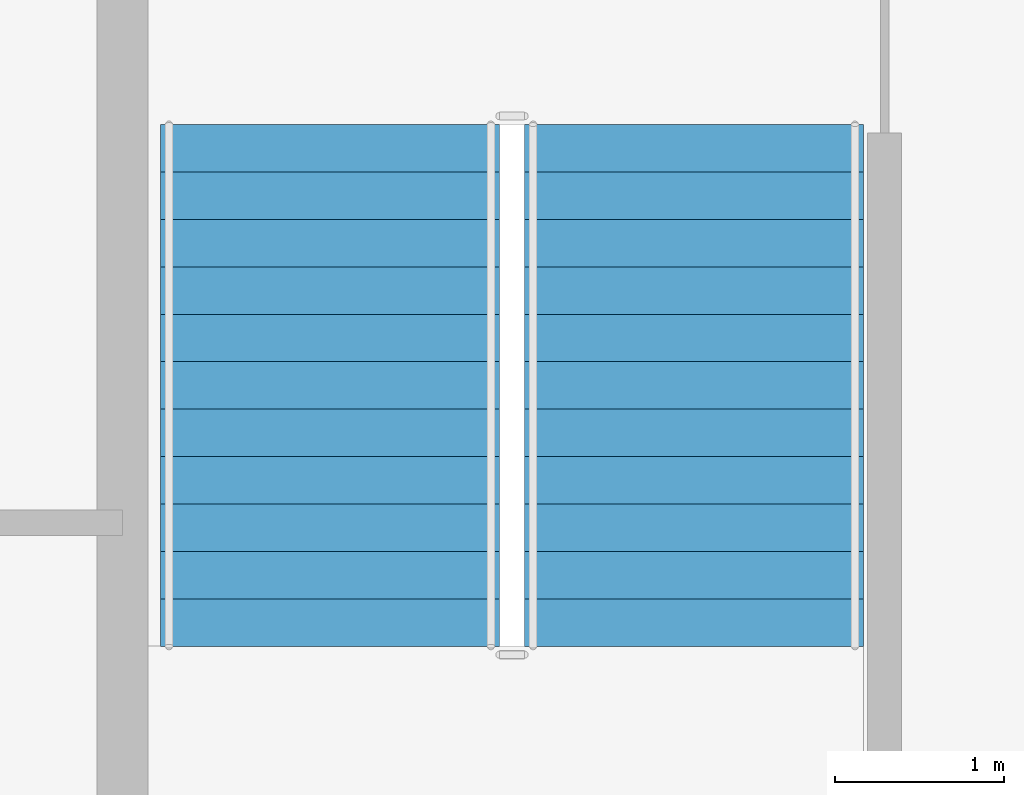
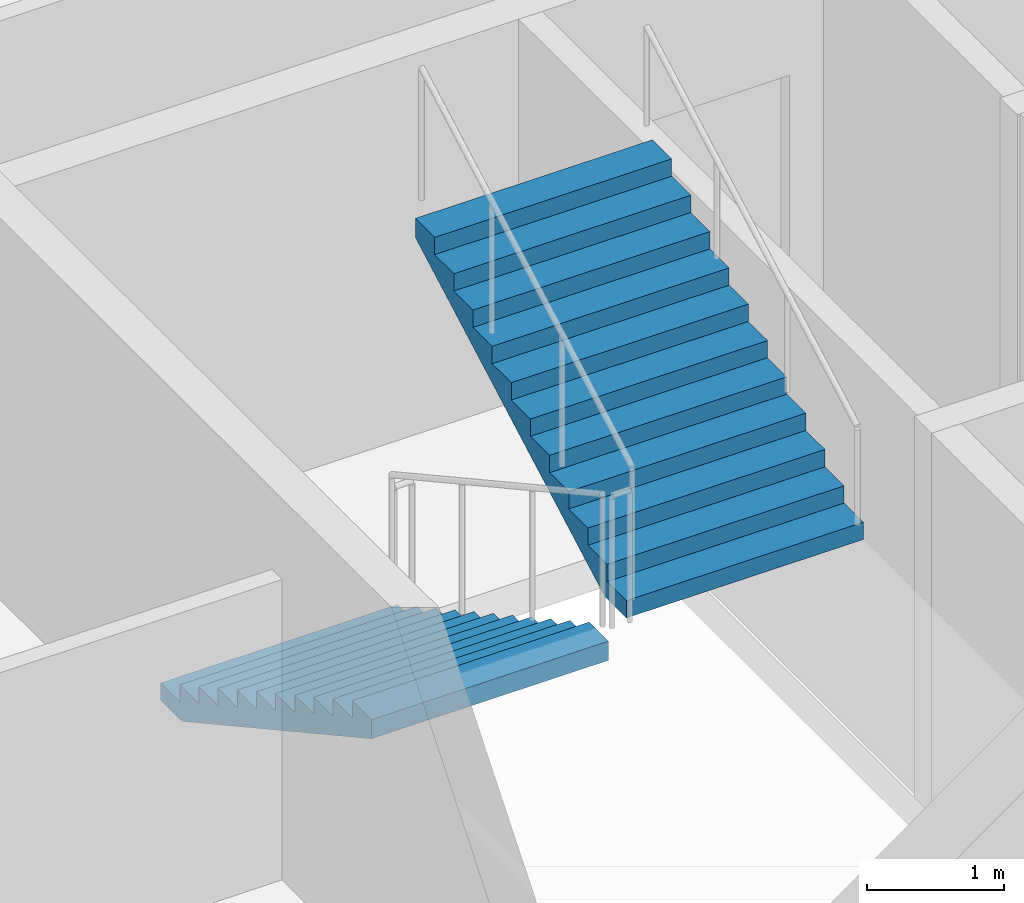
# One storey, part 9 of 12: 2 stair flights, 1 element without a shape of its own.
"""IFC4 building model written with IfcOpenShell, lengths in metres."""

from ifc_helpers import new_model, si_unit, direction, frame, origin, place, context, subcontext, project, spatial, polygons, material, type_object, element, aggregate, save


model = new_model("IFC4")

# Units and contexts
model_context = context("Model", 3, precision=1e-05, world=origin(), true_north=direction((0.0, 1.0)))
body_context = subcontext(model_context, "Body", "Model", "MODEL_VIEW")
ifc_project = project(units=[si_unit("LENGTHUNIT", "METRE"), si_unit("AREAUNIT", "SQUARE_METRE"), si_unit("VOLUMEUNIT", "CUBIC_METRE"), si_unit("PLANEANGLEUNIT", "RADIAN"), si_unit("MASSUNIT", "GRAM", prefix="KILO")], contexts=[model_context])

# Site, building, storey
site_placement = place(None, origin())
site = spatial("IfcSite", under=ifc_project, at=site_placement, CompositionType="ELEMENT")
building_placement = place(site_placement, origin())
building = spatial("IfcBuilding", under=site, at=building_placement, Name="Caravel Reach Hotel and Residences", CompositionType="ELEMENT")
storey_placement = place(building_placement, frame((0.0, 0.0, 196.10009765625)))
storey = spatial("IfcBuildingStorey", under=building, at=storey_placement, Name="L49", CompositionType="ELEMENT", Elevation=196.10009765625)

# Stair, stair flights
ifc_material_1 = material(Name="Concrete C40", Category="concrete")
stair_type = type_object("IfcStairType", Name="Core stair", PredefinedType="HALF_TURN_STAIR", material=ifc_material_1)
stair_placement = place(storey_placement, origin())
stair = element("IfcStair", 1, at=stair_placement, inside=storey, type_object=stair_type, Name="L49 Exit stair A", PredefinedType="HALF_TURN_STAIR")
ifc_material_2 = material(Name="Concrete C40", Category="concrete")
stair_flight_type = type_object("IfcStairFlightType", Name="Core stair flight", PredefinedType="STRAIGHT", material=ifc_material_2)
stair_flight_1_placement = place(storey_placement, frame((19.22509765625, 29.35009765625, 0.0), z_axis=(0.0, 0.0, 1.0), x_axis=(0.0, -1.0, 0.0)))
stair_flight_1 = element("IfcStairFlight", 2, at=stair_flight_1_placement, type_object=stair_flight_type, Name="ST-A flight 1", NumberOfRisers=12, NumberOfTreads=11, PredefinedType="STRAIGHT", RiserHeight=0.154166667, TreadLength=0.28, context=body_context, shape_type="Tessellation", body=[
    polygons([(0.3107950034306102, 1.0, 0.0), (0.3107950034306102, 0.6666666666666667, 0.0), (0.3107950034306102, 0.33333333333333337, 0.0), (0.3107950034306102, 0.0, 0.0), (0.3107950034306102, -0.33333333333333326, 0.0), (0.3107950034306102, -0.6666666666666667, 0.0), (0.3107950034306102, -1.0, 0.0), (3.081, 1.0, 1.524711087717319), (3.081, 0.6666666666666667, 1.524711087717319), (3.081, 0.33333333333333337, 1.524711087717319), (3.081, 0.0, 1.524711087717319), (3.081, -0.33333333333333326, 1.524711087717319), (3.081, -0.6666666666666667, 1.524711087717319), (3.081, -1.0, 1.524711087717319), (3.081, 1.0, 1.695833337), (3.081, 0.6666666666666667, 1.695833337), (3.081, 0.33333333333333337, 1.695833337), (3.081, 0.0, 1.695833337), (3.081, -0.33333333333333326, 1.695833337), (3.081, -0.6666666666666667, 1.695833337), (3.081, -1.0, 1.695833337), (2.8000000000000003, 1.0, 1.695833337), (2.8000000000000003, 0.6666666666666667, 1.695833337), (2.8000000000000003, 0.33333333333333337, 1.695833337), (2.8000000000000003, 0.0, 1.695833337), (2.8000000000000003, -0.33333333333333326, 1.695833337), (2.8000000000000003, -0.6666666666666667, 1.695833337), (2.8000000000000003, -1.0, 1.695833337), (2.8000000000000003, 1.0, 1.5416666700000001), (2.8000000000000003, 0.6666666666666667, 1.5416666700000001), (2.8000000000000003, 0.33333333333333337, 1.5416666700000001), (2.8000000000000003, 0.0, 1.5416666700000001), (2.8000000000000003, -0.33333333333333326, 1.5416666700000001), (2.8000000000000003, -0.6666666666666667, 1.5416666700000001), (2.8000000000000003, -1.0, 1.5416666700000001), (2.5200000000000005, 1.0, 1.5416666700000001), (2.5200000000000005, 0.6666666666666667, 1.5416666700000001), (2.5200000000000005, 0.33333333333333337, 1.5416666700000001), (2.5200000000000005, 0.0, 1.5416666700000001), (2.5200000000000005, -0.33333333333333326, 1.5416666700000001), (2.5200000000000005, -0.6666666666666667, 1.5416666700000001), (2.5200000000000005, -1.0, 1.5416666700000001), (2.5200000000000005, 1.0, 1.387500003), (2.5200000000000005, 0.6666666666666667, 1.387500003), (2.5200000000000005, 0.33333333333333337, 1.387500003), (2.5200000000000005, 0.0, 1.387500003), (2.5200000000000005, -0.33333333333333326, 1.387500003), (2.5200000000000005, -0.6666666666666667, 1.387500003), (2.5200000000000005, -1.0, 1.387500003), (2.24, 1.0, 1.387500003), (2.24, 0.6666666666666667, 1.387500003), (2.24, 0.33333333333333337, 1.387500003), (2.24, 0.0, 1.387500003), (2.24, -0.33333333333333326, 1.387500003), (2.24, -0.6666666666666667, 1.387500003), (2.24, -1.0, 1.387500003), (2.24, 1.0, 1.233333336), (2.24, 0.6666666666666667, 1.233333336), (2.24, 0.33333333333333337, 1.233333336), (2.24, 0.0, 1.233333336), (2.24, -0.33333333333333326, 1.233333336), (2.24, -0.6666666666666667, 1.233333336), (2.24, -1.0, 1.233333336), (1.9600000000000002, 1.0, 1.233333336), (1.9600000000000002, 0.6666666666666667, 1.233333336), (1.9600000000000002, 0.33333333333333337, 1.233333336), (1.9600000000000002, 0.0, 1.233333336), (1.9600000000000002, -0.33333333333333326, 1.233333336), (1.9600000000000002, -0.6666666666666667, 1.233333336), (1.9600000000000002, -1.0, 1.233333336), (1.9600000000000002, 1.0, 1.0791666690000001), (1.9600000000000002, 0.6666666666666667, 1.0791666690000001), (1.9600000000000002, 0.33333333333333337, 1.0791666690000001), (1.9600000000000002, 0.0, 1.0791666690000001), (1.9600000000000002, -0.33333333333333326, 1.0791666690000001), (1.9600000000000002, -0.6666666666666667, 1.0791666690000001), (1.9600000000000002, -1.0, 1.0791666690000001), (1.6800000000000002, 1.0, 1.0791666690000001), (1.6800000000000002, 0.6666666666666667, 1.0791666690000001), (1.6800000000000002, 0.33333333333333337, 1.0791666690000001), (1.6800000000000002, 0.0, 1.0791666690000001), (1.6800000000000002, -0.33333333333333326, 1.0791666690000001), (1.6800000000000002, -0.6666666666666667, 1.0791666690000001), (1.6800000000000002, -1.0, 1.0791666690000001), (1.6800000000000002, 1.0, 0.925000002), (1.6800000000000002, 0.6666666666666667, 0.925000002), (1.6800000000000002, 0.33333333333333337, 0.925000002), (1.6800000000000002, 0.0, 0.925000002), (1.6800000000000002, -0.33333333333333326, 0.925000002), (1.6800000000000002, -0.6666666666666667, 0.925000002), (1.6800000000000002, -1.0, 0.925000002), (1.4000000000000001, 1.0, 0.925000002), (1.4000000000000001, 0.6666666666666667, 0.925000002), (1.4000000000000001, 0.33333333333333337, 0.925000002), (1.4000000000000001, 0.0, 0.925000002), (1.4000000000000001, -0.33333333333333326, 0.925000002), (1.4000000000000001, -0.6666666666666667, 0.925000002), (1.4000000000000001, -1.0, 0.925000002), (1.4000000000000001, 1.0, 0.7708333350000001), (1.4000000000000001, 0.6666666666666667, 0.7708333350000001), (1.4000000000000001, 0.33333333333333337, 0.7708333350000001), (1.4000000000000001, 0.0, 0.7708333350000001), (1.4000000000000001, -0.33333333333333326, 0.7708333350000001), (1.4000000000000001, -0.6666666666666667, 0.7708333350000001), (1.4000000000000001, -1.0, 0.7708333350000001), (1.12, 1.0, 0.7708333350000001), (1.12, 0.6666666666666667, 0.7708333350000001), (1.12, 0.33333333333333337, 0.7708333350000001), (1.12, 0.0, 0.7708333350000001), (1.12, -0.33333333333333326, 0.7708333350000001), (1.12, -0.6666666666666667, 0.7708333350000001), (1.12, -1.0, 0.7708333350000001), (1.12, 1.0, 0.616666668), (1.12, 0.6666666666666667, 0.616666668), (1.12, 0.33333333333333337, 0.616666668), (1.12, 0.0, 0.616666668), (1.12, -0.33333333333333326, 0.616666668), (1.12, -0.6666666666666667, 0.616666668), (1.12, -1.0, 0.616666668), (0.8400000000000001, 1.0, 0.616666668), (0.8400000000000001, 0.6666666666666667, 0.616666668), (0.8400000000000001, 0.33333333333333337, 0.616666668), (0.8400000000000001, 0.0, 0.616666668), (0.8400000000000001, -0.33333333333333326, 0.616666668), (0.8400000000000001, -0.6666666666666667, 0.616666668), (0.8400000000000001, -1.0, 0.616666668), (0.8400000000000001, 1.0, 0.462500001), (0.8400000000000001, 0.6666666666666667, 0.462500001), (0.8400000000000001, 0.33333333333333337, 0.462500001), (0.8400000000000001, 0.0, 0.462500001), (0.8400000000000001, -0.33333333333333326, 0.462500001), (0.8400000000000001, -0.6666666666666667, 0.462500001), (0.8400000000000001, -1.0, 0.462500001), (0.56, 1.0, 0.462500001), (0.56, 0.6666666666666667, 0.462500001), (0.56, 0.33333333333333337, 0.462500001), (0.56, 0.0, 0.462500001), (0.56, -0.33333333333333326, 0.462500001), (0.56, -0.6666666666666667, 0.462500001), (0.56, -1.0, 0.462500001), (0.56, 1.0, 0.308333334), (0.56, 0.6666666666666667, 0.308333334), (0.56, 0.33333333333333337, 0.308333334), (0.56, 0.0, 0.308333334), (0.56, -0.33333333333333326, 0.308333334), (0.56, -0.6666666666666667, 0.308333334), (0.56, -1.0, 0.308333334), (0.28, 1.0, 0.308333334), (0.28, 0.6666666666666667, 0.308333334), (0.28, 0.33333333333333337, 0.308333334), (0.28, 0.0, 0.308333334), (0.28, -0.33333333333333326, 0.308333334), (0.28, -0.6666666666666667, 0.308333334), (0.28, -1.0, 0.308333334), (0.28, 1.0, 0.154166667), (0.28, 0.6666666666666667, 0.154166667), (0.28, 0.33333333333333337, 0.154166667), (0.28, 0.0, 0.154166667), (0.28, -0.33333333333333326, 0.154166667), (0.28, -0.6666666666666667, 0.154166667), (0.28, -1.0, 0.154166667), (-0.001, 1.0, 0.154166667), (-0.001, 0.6666666666666667, 0.154166667), (-0.001, 0.33333333333333337, 0.154166667), (-0.001, 0.0, 0.154166667), (-0.001, -0.33333333333333326, 0.154166667), (-0.001, -0.6666666666666667, 0.154166667), (-0.001, -1.0, 0.154166667), (-0.001, 1.0, 0.0), (-0.001, 0.6666666666666667, 0.0), (-0.001, 0.33333333333333337, 0.0), (-0.001, 0.0, 0.0), (-0.001, -0.33333333333333326, 0.0), (-0.001, -0.6666666666666667, 0.0), (-0.001, -1.0, 0.0)], [[[169, 162, 155, 148, 141, 134, 127, 120, 113, 106, 99, 92, 85, 78, 71, 64, 57, 50, 43, 36, 29, 22, 15, 8, 1]], [[7, 14, 21, 28, 35, 42, 49, 56, 63, 70, 77, 84, 91, 98, 105, 112, 119, 126, 133, 140, 147, 154, 161, 168, 175]], [[1, 8, 9, 2]], [[2, 9, 10, 3]], [[3, 10, 11, 4]], [[4, 11, 12, 5]], [[5, 12, 13, 6]], [[6, 13, 14, 7]], [[8, 15, 16, 9]], [[9, 16, 17, 10]], [[10, 17, 18, 11]], [[11, 18, 19, 12]], [[12, 19, 20, 13]], [[13, 20, 21, 14]], [[15, 22, 23, 16]], [[16, 23, 24, 17]], [[17, 24, 25, 18]], [[18, 25, 26, 19]], [[19, 26, 27, 20]], [[20, 27, 28, 21]], [[22, 29, 30, 23]], [[23, 30, 31, 24]], [[24, 31, 32, 25]], [[25, 32, 33, 26]], [[26, 33, 34, 27]], [[27, 34, 35, 28]], [[29, 36, 37, 30]], [[30, 37, 38, 31]], [[31, 38, 39, 32]], [[32, 39, 40, 33]], [[33, 40, 41, 34]], [[34, 41, 42, 35]], [[36, 43, 44, 37]], [[37, 44, 45, 38]], [[38, 45, 46, 39]], [[39, 46, 47, 40]], [[40, 47, 48, 41]], [[41, 48, 49, 42]], [[43, 50, 51, 44]], [[44, 51, 52, 45]], [[45, 52, 53, 46]], [[46, 53, 54, 47]], [[47, 54, 55, 48]], [[48, 55, 56, 49]], [[50, 57, 58, 51]], [[51, 58, 59, 52]], [[52, 59, 60, 53]], [[53, 60, 61, 54]], [[54, 61, 62, 55]], [[55, 62, 63, 56]], [[57, 64, 65, 58]], [[58, 65, 66, 59]], [[59, 66, 67, 60]], [[60, 67, 68, 61]], [[61, 68, 69, 62]], [[62, 69, 70, 63]], [[64, 71, 72, 65]], [[65, 72, 73, 66]], [[66, 73, 74, 67]], [[67, 74, 75, 68]], [[68, 75, 76, 69]], [[69, 76, 77, 70]], [[71, 78, 79, 72]], [[72, 79, 80, 73]], [[73, 80, 81, 74]], [[74, 81, 82, 75]], [[75, 82, 83, 76]], [[76, 83, 84, 77]], [[78, 85, 86, 79]], [[79, 86, 87, 80]], [[80, 87, 88, 81]], [[81, 88, 89, 82]], [[82, 89, 90, 83]], [[83, 90, 91, 84]], [[85, 92, 93, 86]], [[86, 93, 94, 87]], [[87, 94, 95, 88]], [[88, 95, 96, 89]], [[89, 96, 97, 90]], [[90, 97, 98, 91]], [[92, 99, 100, 93]], [[93, 100, 101, 94]], [[94, 101, 102, 95]], [[95, 102, 103, 96]], [[96, 103, 104, 97]], [[97, 104, 105, 98]], [[99, 106, 107, 100]], [[100, 107, 108, 101]], [[101, 108, 109, 102]], [[102, 109, 110, 103]], [[103, 110, 111, 104]], [[104, 111, 112, 105]], [[106, 113, 114, 107]], [[107, 114, 115, 108]], [[108, 115, 116, 109]], [[109, 116, 117, 110]], [[110, 117, 118, 111]], [[111, 118, 119, 112]], [[113, 120, 121, 114]], [[114, 121, 122, 115]], [[115, 122, 123, 116]], [[116, 123, 124, 117]], [[117, 124, 125, 118]], [[118, 125, 126, 119]], [[120, 127, 128, 121]], [[121, 128, 129, 122]], [[122, 129, 130, 123]], [[123, 130, 131, 124]], [[124, 131, 132, 125]], [[125, 132, 133, 126]], [[127, 134, 135, 128]], [[128, 135, 136, 129]], [[129, 136, 137, 130]], [[130, 137, 138, 131]], [[131, 138, 139, 132]], [[132, 139, 140, 133]], [[134, 141, 142, 135]], [[135, 142, 143, 136]], [[136, 143, 144, 137]], [[137, 144, 145, 138]], [[138, 145, 146, 139]], [[139, 146, 147, 140]], [[141, 148, 149, 142]], [[142, 149, 150, 143]], [[143, 150, 151, 144]], [[144, 151, 152, 145]], [[145, 152, 153, 146]], [[146, 153, 154, 147]], [[148, 155, 156, 149]], [[149, 156, 157, 150]], [[150, 157, 158, 151]], [[151, 158, 159, 152]], [[152, 159, 160, 153]], [[153, 160, 161, 154]], [[155, 162, 163, 156]], [[156, 163, 164, 157]], [[157, 164, 165, 158]], [[158, 165, 166, 159]], [[159, 166, 167, 160]], [[160, 167, 168, 161]], [[162, 169, 170, 163]], [[163, 170, 171, 164]], [[164, 171, 172, 165]], [[165, 172, 173, 166]], [[166, 173, 174, 167]], [[167, 174, 175, 168]], [[169, 1, 2, 170]], [[170, 2, 3, 171]], [[171, 3, 4, 172]], [[172, 4, 5, 173]], [[173, 5, 6, 174]], [[174, 6, 7, 175]]], closed=True),
])
stair_flight_2_placement = place(storey_placement, frame((21.375, 26.27001953125, 1.849853515625), z_axis=(0.0, 0.0, 1.0), x_axis=(0.0, 1.0, 0.0)))
stair_flight_2 = element("IfcStairFlight", 3, at=stair_flight_2_placement, type_object=stair_flight_type, Name="ST-A flight 2", NumberOfRisers=12, NumberOfTreads=11, PredefinedType="STRAIGHT", RiserHeight=0.154166667, TreadLength=0.28, context=body_context, shape_type="Tessellation", body=[
    polygons([(0.3107950034306102, 1.0, 0.0), (0.3107950034306102, 0.6666666666666667, 0.0), (0.3107950034306102, 0.33333333333333337, 0.0), (0.3107950034306102, 0.0, 0.0), (0.3107950034306102, -0.33333333333333326, 0.0), (0.3107950034306102, -0.6666666666666667, 0.0), (0.3107950034306102, -1.0, 0.0), (3.081, 1.0, 1.524711087717319), (3.081, 0.6666666666666667, 1.524711087717319), (3.081, 0.33333333333333337, 1.524711087717319), (3.081, 0.0, 1.524711087717319), (3.081, -0.33333333333333326, 1.524711087717319), (3.081, -0.6666666666666667, 1.524711087717319), (3.081, -1.0, 1.524711087717319), (3.081, 1.0, 1.695833337), (3.081, 0.6666666666666667, 1.695833337), (3.081, 0.33333333333333337, 1.695833337), (3.081, 0.0, 1.695833337), (3.081, -0.33333333333333326, 1.695833337), (3.081, -0.6666666666666667, 1.695833337), (3.081, -1.0, 1.695833337), (2.8000000000000003, 1.0, 1.695833337), (2.8000000000000003, 0.6666666666666667, 1.695833337), (2.8000000000000003, 0.33333333333333337, 1.695833337), (2.8000000000000003, 0.0, 1.695833337), (2.8000000000000003, -0.33333333333333326, 1.695833337), (2.8000000000000003, -0.6666666666666667, 1.695833337), (2.8000000000000003, -1.0, 1.695833337), (2.8000000000000003, 1.0, 1.5416666700000001), (2.8000000000000003, 0.6666666666666667, 1.5416666700000001), (2.8000000000000003, 0.33333333333333337, 1.5416666700000001), (2.8000000000000003, 0.0, 1.5416666700000001), (2.8000000000000003, -0.33333333333333326, 1.5416666700000001), (2.8000000000000003, -0.6666666666666667, 1.5416666700000001), (2.8000000000000003, -1.0, 1.5416666700000001), (2.5200000000000005, 1.0, 1.5416666700000001), (2.5200000000000005, 0.6666666666666667, 1.5416666700000001), (2.5200000000000005, 0.33333333333333337, 1.5416666700000001), (2.5200000000000005, 0.0, 1.5416666700000001), (2.5200000000000005, -0.33333333333333326, 1.5416666700000001), (2.5200000000000005, -0.6666666666666667, 1.5416666700000001), (2.5200000000000005, -1.0, 1.5416666700000001), (2.5200000000000005, 1.0, 1.387500003), (2.5200000000000005, 0.6666666666666667, 1.387500003), (2.5200000000000005, 0.33333333333333337, 1.387500003), (2.5200000000000005, 0.0, 1.387500003), (2.5200000000000005, -0.33333333333333326, 1.387500003), (2.5200000000000005, -0.6666666666666667, 1.387500003), (2.5200000000000005, -1.0, 1.387500003), (2.24, 1.0, 1.387500003), (2.24, 0.6666666666666667, 1.387500003), (2.24, 0.33333333333333337, 1.387500003), (2.24, 0.0, 1.387500003), (2.24, -0.33333333333333326, 1.387500003), (2.24, -0.6666666666666667, 1.387500003), (2.24, -1.0, 1.387500003), (2.24, 1.0, 1.233333336), (2.24, 0.6666666666666667, 1.233333336), (2.24, 0.33333333333333337, 1.233333336), (2.24, 0.0, 1.233333336), (2.24, -0.33333333333333326, 1.233333336), (2.24, -0.6666666666666667, 1.233333336), (2.24, -1.0, 1.233333336), (1.9600000000000002, 1.0, 1.233333336), (1.9600000000000002, 0.6666666666666667, 1.233333336), (1.9600000000000002, 0.33333333333333337, 1.233333336), (1.9600000000000002, 0.0, 1.233333336), (1.9600000000000002, -0.33333333333333326, 1.233333336), (1.9600000000000002, -0.6666666666666667, 1.233333336), (1.9600000000000002, -1.0, 1.233333336), (1.9600000000000002, 1.0, 1.0791666690000001), (1.9600000000000002, 0.6666666666666667, 1.0791666690000001), (1.9600000000000002, 0.33333333333333337, 1.0791666690000001), (1.9600000000000002, 0.0, 1.0791666690000001), (1.9600000000000002, -0.33333333333333326, 1.0791666690000001), (1.9600000000000002, -0.6666666666666667, 1.0791666690000001), (1.9600000000000002, -1.0, 1.0791666690000001), (1.6800000000000002, 1.0, 1.0791666690000001), (1.6800000000000002, 0.6666666666666667, 1.0791666690000001), (1.6800000000000002, 0.33333333333333337, 1.0791666690000001), (1.6800000000000002, 0.0, 1.0791666690000001), (1.6800000000000002, -0.33333333333333326, 1.0791666690000001), (1.6800000000000002, -0.6666666666666667, 1.0791666690000001), (1.6800000000000002, -1.0, 1.0791666690000001), (1.6800000000000002, 1.0, 0.925000002), (1.6800000000000002, 0.6666666666666667, 0.925000002), (1.6800000000000002, 0.33333333333333337, 0.925000002), (1.6800000000000002, 0.0, 0.925000002), (1.6800000000000002, -0.33333333333333326, 0.925000002), (1.6800000000000002, -0.6666666666666667, 0.925000002), (1.6800000000000002, -1.0, 0.925000002), (1.4000000000000001, 1.0, 0.925000002), (1.4000000000000001, 0.6666666666666667, 0.925000002), (1.4000000000000001, 0.33333333333333337, 0.925000002), (1.4000000000000001, 0.0, 0.925000002), (1.4000000000000001, -0.33333333333333326, 0.925000002), (1.4000000000000001, -0.6666666666666667, 0.925000002), (1.4000000000000001, -1.0, 0.925000002), (1.4000000000000001, 1.0, 0.7708333350000001), (1.4000000000000001, 0.6666666666666667, 0.7708333350000001), (1.4000000000000001, 0.33333333333333337, 0.7708333350000001), (1.4000000000000001, 0.0, 0.7708333350000001), (1.4000000000000001, -0.33333333333333326, 0.7708333350000001), (1.4000000000000001, -0.6666666666666667, 0.7708333350000001), (1.4000000000000001, -1.0, 0.7708333350000001), (1.12, 1.0, 0.7708333350000001), (1.12, 0.6666666666666667, 0.7708333350000001), (1.12, 0.33333333333333337, 0.7708333350000001), (1.12, 0.0, 0.7708333350000001), (1.12, -0.33333333333333326, 0.7708333350000001), (1.12, -0.6666666666666667, 0.7708333350000001), (1.12, -1.0, 0.7708333350000001), (1.12, 1.0, 0.616666668), (1.12, 0.6666666666666667, 0.616666668), (1.12, 0.33333333333333337, 0.616666668), (1.12, 0.0, 0.616666668), (1.12, -0.33333333333333326, 0.616666668), (1.12, -0.6666666666666667, 0.616666668), (1.12, -1.0, 0.616666668), (0.8400000000000001, 1.0, 0.616666668), (0.8400000000000001, 0.6666666666666667, 0.616666668), (0.8400000000000001, 0.33333333333333337, 0.616666668), (0.8400000000000001, 0.0, 0.616666668), (0.8400000000000001, -0.33333333333333326, 0.616666668), (0.8400000000000001, -0.6666666666666667, 0.616666668), (0.8400000000000001, -1.0, 0.616666668), (0.8400000000000001, 1.0, 0.462500001), (0.8400000000000001, 0.6666666666666667, 0.462500001), (0.8400000000000001, 0.33333333333333337, 0.462500001), (0.8400000000000001, 0.0, 0.462500001), (0.8400000000000001, -0.33333333333333326, 0.462500001), (0.8400000000000001, -0.6666666666666667, 0.462500001), (0.8400000000000001, -1.0, 0.462500001), (0.56, 1.0, 0.462500001), (0.56, 0.6666666666666667, 0.462500001), (0.56, 0.33333333333333337, 0.462500001), (0.56, 0.0, 0.462500001), (0.56, -0.33333333333333326, 0.462500001), (0.56, -0.6666666666666667, 0.462500001), (0.56, -1.0, 0.462500001), (0.56, 1.0, 0.308333334), (0.56, 0.6666666666666667, 0.308333334), (0.56, 0.33333333333333337, 0.308333334), (0.56, 0.0, 0.308333334), (0.56, -0.33333333333333326, 0.308333334), (0.56, -0.6666666666666667, 0.308333334), (0.56, -1.0, 0.308333334), (0.28, 1.0, 0.308333334), (0.28, 0.6666666666666667, 0.308333334), (0.28, 0.33333333333333337, 0.308333334), (0.28, 0.0, 0.308333334), (0.28, -0.33333333333333326, 0.308333334), (0.28, -0.6666666666666667, 0.308333334), (0.28, -1.0, 0.308333334), (0.28, 1.0, 0.154166667), (0.28, 0.6666666666666667, 0.154166667), (0.28, 0.33333333333333337, 0.154166667), (0.28, 0.0, 0.154166667), (0.28, -0.33333333333333326, 0.154166667), (0.28, -0.6666666666666667, 0.154166667), (0.28, -1.0, 0.154166667), (-0.001, 1.0, 0.154166667), (-0.001, 0.6666666666666667, 0.154166667), (-0.001, 0.33333333333333337, 0.154166667), (-0.001, 0.0, 0.154166667), (-0.001, -0.33333333333333326, 0.154166667), (-0.001, -0.6666666666666667, 0.154166667), (-0.001, -1.0, 0.154166667), (-0.001, 1.0, 0.0), (-0.001, 0.6666666666666667, 0.0), (-0.001, 0.33333333333333337, 0.0), (-0.001, 0.0, 0.0), (-0.001, -0.33333333333333326, 0.0), (-0.001, -0.6666666666666667, 0.0), (-0.001, -1.0, 0.0)], [[[169, 162, 155, 148, 141, 134, 127, 120, 113, 106, 99, 92, 85, 78, 71, 64, 57, 50, 43, 36, 29, 22, 15, 8, 1]], [[7, 14, 21, 28, 35, 42, 49, 56, 63, 70, 77, 84, 91, 98, 105, 112, 119, 126, 133, 140, 147, 154, 161, 168, 175]], [[1, 8, 9, 2]], [[2, 9, 10, 3]], [[3, 10, 11, 4]], [[4, 11, 12, 5]], [[5, 12, 13, 6]], [[6, 13, 14, 7]], [[8, 15, 16, 9]], [[9, 16, 17, 10]], [[10, 17, 18, 11]], [[11, 18, 19, 12]], [[12, 19, 20, 13]], [[13, 20, 21, 14]], [[15, 22, 23, 16]], [[16, 23, 24, 17]], [[17, 24, 25, 18]], [[18, 25, 26, 19]], [[19, 26, 27, 20]], [[20, 27, 28, 21]], [[22, 29, 30, 23]], [[23, 30, 31, 24]], [[24, 31, 32, 25]], [[25, 32, 33, 26]], [[26, 33, 34, 27]], [[27, 34, 35, 28]], [[29, 36, 37, 30]], [[30, 37, 38, 31]], [[31, 38, 39, 32]], [[32, 39, 40, 33]], [[33, 40, 41, 34]], [[34, 41, 42, 35]], [[36, 43, 44, 37]], [[37, 44, 45, 38]], [[38, 45, 46, 39]], [[39, 46, 47, 40]], [[40, 47, 48, 41]], [[41, 48, 49, 42]], [[43, 50, 51, 44]], [[44, 51, 52, 45]], [[45, 52, 53, 46]], [[46, 53, 54, 47]], [[47, 54, 55, 48]], [[48, 55, 56, 49]], [[50, 57, 58, 51]], [[51, 58, 59, 52]], [[52, 59, 60, 53]], [[53, 60, 61, 54]], [[54, 61, 62, 55]], [[55, 62, 63, 56]], [[57, 64, 65, 58]], [[58, 65, 66, 59]], [[59, 66, 67, 60]], [[60, 67, 68, 61]], [[61, 68, 69, 62]], [[62, 69, 70, 63]], [[64, 71, 72, 65]], [[65, 72, 73, 66]], [[66, 73, 74, 67]], [[67, 74, 75, 68]], [[68, 75, 76, 69]], [[69, 76, 77, 70]], [[71, 78, 79, 72]], [[72, 79, 80, 73]], [[73, 80, 81, 74]], [[74, 81, 82, 75]], [[75, 82, 83, 76]], [[76, 83, 84, 77]], [[78, 85, 86, 79]], [[79, 86, 87, 80]], [[80, 87, 88, 81]], [[81, 88, 89, 82]], [[82, 89, 90, 83]], [[83, 90, 91, 84]], [[85, 92, 93, 86]], [[86, 93, 94, 87]], [[87, 94, 95, 88]], [[88, 95, 96, 89]], [[89, 96, 97, 90]], [[90, 97, 98, 91]], [[92, 99, 100, 93]], [[93, 100, 101, 94]], [[94, 101, 102, 95]], [[95, 102, 103, 96]], [[96, 103, 104, 97]], [[97, 104, 105, 98]], [[99, 106, 107, 100]], [[100, 107, 108, 101]], [[101, 108, 109, 102]], [[102, 109, 110, 103]], [[103, 110, 111, 104]], [[104, 111, 112, 105]], [[106, 113, 114, 107]], [[107, 114, 115, 108]], [[108, 115, 116, 109]], [[109, 116, 117, 110]], [[110, 117, 118, 111]], [[111, 118, 119, 112]], [[113, 120, 121, 114]], [[114, 121, 122, 115]], [[115, 122, 123, 116]], [[116, 123, 124, 117]], [[117, 124, 125, 118]], [[118, 125, 126, 119]], [[120, 127, 128, 121]], [[121, 128, 129, 122]], [[122, 129, 130, 123]], [[123, 130, 131, 124]], [[124, 131, 132, 125]], [[125, 132, 133, 126]], [[127, 134, 135, 128]], [[128, 135, 136, 129]], [[129, 136, 137, 130]], [[130, 137, 138, 131]], [[131, 138, 139, 132]], [[132, 139, 140, 133]], [[134, 141, 142, 135]], [[135, 142, 143, 136]], [[136, 143, 144, 137]], [[137, 144, 145, 138]], [[138, 145, 146, 139]], [[139, 146, 147, 140]], [[141, 148, 149, 142]], [[142, 149, 150, 143]], [[143, 150, 151, 144]], [[144, 151, 152, 145]], [[145, 152, 153, 146]], [[146, 153, 154, 147]], [[148, 155, 156, 149]], [[149, 156, 157, 150]], [[150, 157, 158, 151]], [[151, 158, 159, 152]], [[152, 159, 160, 153]], [[153, 160, 161, 154]], [[155, 162, 163, 156]], [[156, 163, 164, 157]], [[157, 164, 165, 158]], [[158, 165, 166, 159]], [[159, 166, 167, 160]], [[160, 167, 168, 161]], [[162, 169, 170, 163]], [[163, 170, 171, 164]], [[164, 171, 172, 165]], [[165, 172, 173, 166]], [[166, 173, 174, 167]], [[167, 174, 175, 168]], [[169, 1, 2, 170]], [[170, 2, 3, 171]], [[171, 3, 4, 172]], [[172, 4, 5, 173]], [[173, 5, 6, 174]], [[174, 6, 7, 175]]], closed=True),
])
aggregate(stair, [stair_flight_1, stair_flight_2])

save(model, "model.ifc")
